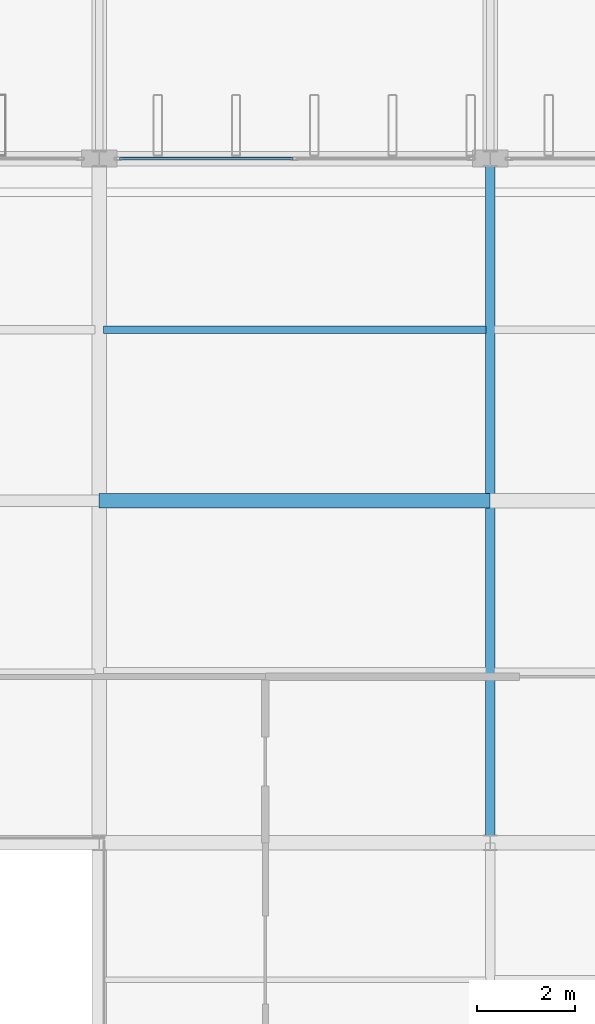
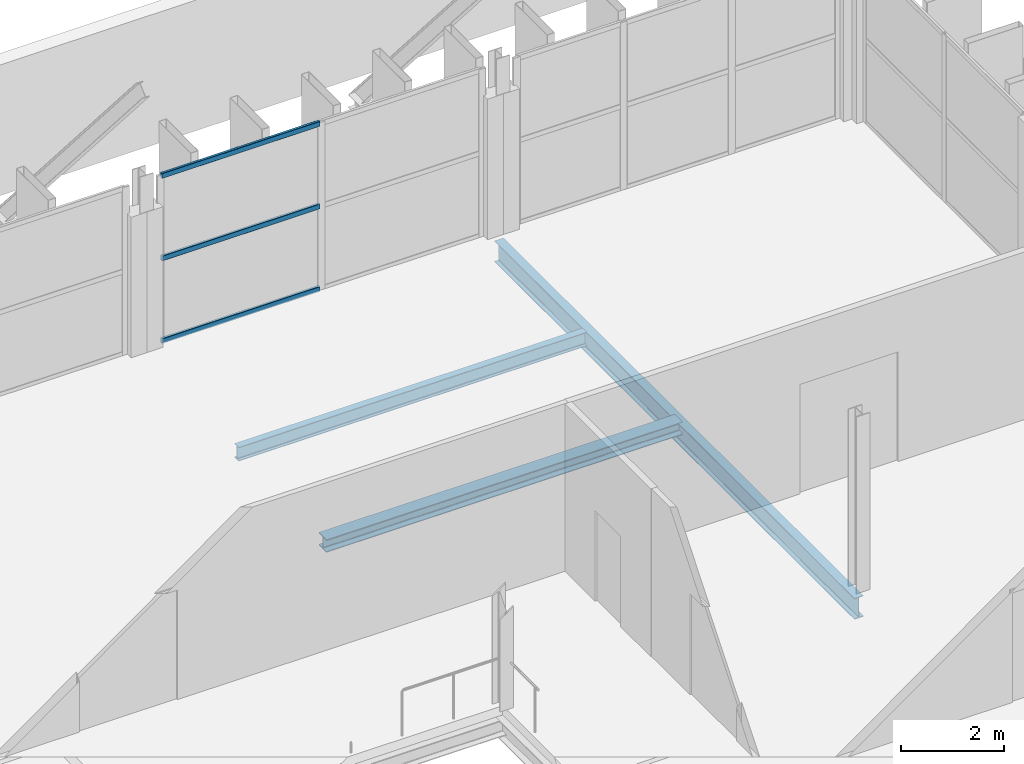
# One storey, part 54 of 93: 3 beams, 3 members, 1 element without a shape of its own.
"""IFC4 building model written with IfcOpenShell, lengths in metres."""

from ifc_helpers import new_model, si_unit, direction, frame, origin, origin_2d, place, context, subcontext, project, spatial, hollow_rectangle, i_section, extrude, material, layer, layer_set, material_profile, profile_set, type_object, element, aggregate, save


model = new_model("IFC4")

# Units and contexts
model_context = context("Model", 3, precision=1e-05, world=origin(), true_north=direction((0.0, 1.0)))
body_context = subcontext(model_context, "Body", "Model", "MODEL_VIEW")
ifc_project = project(units=[si_unit("LENGTHUNIT", "METRE"), si_unit("AREAUNIT", "SQUARE_METRE"), si_unit("VOLUMEUNIT", "CUBIC_METRE"), si_unit("PLANEANGLEUNIT", "RADIAN"), si_unit("MASSUNIT", "GRAM", prefix="KILO")], contexts=[model_context])

# Site, building, storey
site_placement = place(None, origin())
site = spatial("IfcSite", under=ifc_project, at=site_placement, CompositionType="ELEMENT")
building_placement = place(site_placement, origin())
building = spatial("IfcBuilding", under=site, at=building_placement, Name="Vekula Escarpment Museum", CompositionType="ELEMENT")
storey_placement = place(building_placement, frame((0.0, 0.0, 22.199951171875)))
storey = spatial("IfcBuildingStorey", under=building, at=storey_placement, Name="L05", CompositionType="ELEMENT", Elevation=22.199951171875)

# Beams
ifc_material_1 = material(Name="Steel S355", Category="steel")
ifc_material_profile_1 = material_profile(ifc_material_1, i_section(OverallWidth=0.300048828125, OverallDepth=0.300048828125, WebThickness=0.010986328125, FlangeThickness=0.01904296875, FilletRadius=0.027099609375, at=origin_2d()), Name="HEB 300")
ifc_profile_set_1 = profile_set([ifc_material_profile_1], Name="Steel S355")
beam_type_1 = type_object("IfcBeamType", Name="BM-GIRD-HEB300", PredefinedType="BEAM", material=ifc_profile_set_1)
beam_1_placement = place(storey_placement, frame((110.0, 83.39990234375, -0.369873046875), z_axis=(1.0, 0.0, 0.0), x_axis=(0.0, 1.0, 0.0)))
element("IfcBeam", 1, at=beam_1_placement, inside=storey, type_object=beam_type_1, Name="Beam X L05 2041", PredefinedType="BEAM", context=body_context, shape_type="SweptSolid", body=[
    extrude(i_section(OverallWidth=0.300048828125, OverallDepth=0.300048828125, WebThickness=0.010986328125, FlangeThickness=0.01904296875, FilletRadius=0.027099609375, at=origin_2d()), origin(), (0.0, 0.0, 1.0), 8.0),
])
ifc_material_2 = material(Name="Steel S355", Category="steel")
ifc_material_profile_2 = material_profile(ifc_material_2, i_section(OverallWidth=0.199951171875, OverallDepth=0.5, WebThickness=0.01025390625, FlangeThickness=0.01611328125, FilletRadius=0.02099609375, at=origin_2d()), Name="IPE 500")
ifc_profile_set_2 = profile_set([ifc_material_profile_2], Name="Steel S355")
beam_type_2 = type_object("IfcBeamType", Name="BM-GIRD-IPE500", PredefinedType="BEAM", material=ifc_profile_set_2)
beam_2_placement = place(storey_placement, frame((118.0, 76.39990234375, -0.469970703125), z_axis=(0.0, 1.0, 0.0), x_axis=(-1.0, 0.0, 0.0)))
element("IfcBeam", 2, at=beam_2_placement, inside=storey, type_object=beam_type_2, Name="Beam Y L05 2149", PredefinedType="BEAM", context=body_context, shape_type="SweptSolid", body=[
    extrude(i_section(OverallWidth=0.199951171875, OverallDepth=0.5, WebThickness=0.01025390625, FlangeThickness=0.01611328125, FilletRadius=0.02099609375, at=origin_2d()), origin(), (0.0, 0.0, 1.0), 14.0),
])
ifc_material_3 = material(Name="Steel S355", Category="steel")
ifc_material_profile_3 = material_profile(ifc_material_3, i_section(OverallWidth=0.159912109375, OverallDepth=0.330078125, WebThickness=0.007568359375, FlangeThickness=0.011474609375, FilletRadius=0.01806640625, at=origin_2d()), Name="IPE 330")
ifc_profile_set_3 = profile_set([ifc_material_profile_3], Name="Steel S355")
beam_type_3 = type_object("IfcBeamType", Name="BM-JST-IPE330", PredefinedType="JOIST", material=ifc_profile_set_3)
beam_3_placement = place(storey_placement, frame((110.090087890625, 86.89990234375, -0.385009765625), z_axis=(1.0, 0.0, 0.0), x_axis=(0.0, 1.0, 0.0)))
element("IfcBeam", 3, at=beam_3_placement, inside=storey, type_object=beam_type_3, Name="Secondary Joist L05 1373", PredefinedType="JOIST", context=body_context, shape_type="SweptSolid", body=[
    extrude(i_section(OverallWidth=0.159912109375, OverallDepth=0.330078125, WebThickness=0.007568359375, FlangeThickness=0.011474609375, FilletRadius=0.01806640625, at=origin_2d()), origin(), (0.0, 0.0, 1.0), 7.81982421875),
])

# Curtain wall, members
ifc_material_4 = material(Name="Aluminium thermally broken framing", Category="aluminium")
ifc_layer = layer(ifc_material_4, 0.179931640625)
ifc_layer_set = layer_set([ifc_layer], Name="Aluminium thermally broken framing")
curtain_wall_type = type_object("IfcCurtainWallType", Name="CW-SYS-07", PredefinedType="NOTDEFINED", material=ifc_layer_set)
curtain_wall_placement = place(storey_placement, origin())
curtain_wall = element("IfcCurtainWall", 4, at=curtain_wall_placement, inside=storey, type_object=curtain_wall_type, Name="Curtain Wall CW-L05-177", PredefinedType="NOTDEFINED")
ifc_material_5 = material(Name="Aluminium anodized transom", Category="aluminium")
ifc_material_profile_4 = material_profile(ifc_material_5, hollow_rectangle(XDim=0.06005859375, YDim=0.1201171875, WallThickness=0.00390625, InnerFilletRadius=0.00390625, OuterFilletRadius=0.008056640625, at=origin_2d()), Name="ALU 120x60x4")
ifc_profile_set_4 = profile_set([ifc_material_profile_4], Name="Aluminium anodized transom")
member_type = type_object("IfcMemberType", Name="CW-TRN-120", PredefinedType="USERDEFINED", material=ifc_profile_set_4)
member_1_placement = place(storey_placement, frame((113.969970703125, 90.39990234375, 0.030029296875), z_axis=(-1.0, 0.0, 0.0), x_axis=(0.0, -1.0, 0.0)))
member_1 = element("IfcMember", 5, at=member_1_placement, type_object=member_type, Name="CW-07 transom 2.1", ObjectType="TRANSOM", PredefinedType="USERDEFINED", context=body_context, shape_type="SweptSolid", body=[
    extrude(hollow_rectangle(XDim=0.06005859375, YDim=0.1201171875, WallThickness=0.00390625, InnerFilletRadius=0.00390625, OuterFilletRadius=0.008056640625, at=origin_2d()), origin(), (0.0, 0.0, 1.0), 3.550048828125),
])
member_2_placement = place(storey_placement, frame((113.969970703125, 90.39990234375, 1.989990234375), z_axis=(-1.0, 0.0, 0.0), x_axis=(0.0, -1.0, 0.0)))
member_2 = element("IfcMember", 6, at=member_2_placement, type_object=member_type, Name="CW-07 transom 2.2", ObjectType="TRANSOM", PredefinedType="USERDEFINED", context=body_context, shape_type="SweptSolid", body=[
    extrude(hollow_rectangle(XDim=0.06005859375, YDim=0.1201171875, WallThickness=0.00390625, InnerFilletRadius=0.00390625, OuterFilletRadius=0.008056640625, at=origin_2d()), origin(), (0.0, 0.0, 1.0), 3.550048828125),
])
member_3_placement = place(storey_placement, frame((113.969970703125, 90.39990234375, 3.949951171875), z_axis=(-1.0, 0.0, 0.0), x_axis=(0.0, -1.0, 0.0)))
member_3 = element("IfcMember", 7, at=member_3_placement, type_object=member_type, Name="CW-07 transom 2.3", ObjectType="TRANSOM", PredefinedType="USERDEFINED", context=body_context, shape_type="SweptSolid", body=[
    extrude(hollow_rectangle(XDim=0.06005859375, YDim=0.1201171875, WallThickness=0.00390625, InnerFilletRadius=0.00390625, OuterFilletRadius=0.008056640625, at=origin_2d()), origin(), (0.0, 0.0, 1.0), 3.550048828125),
])
aggregate(curtain_wall, [member_1, member_2, member_3])

save(model, "model.ifc")
